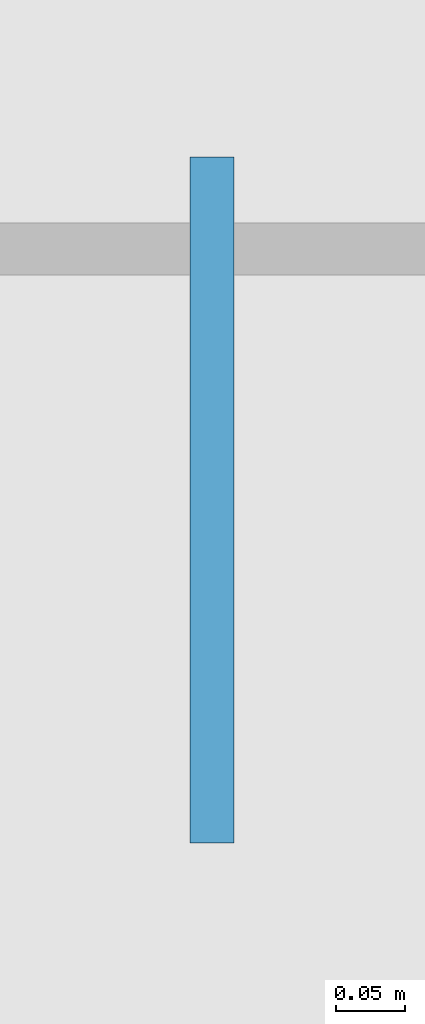
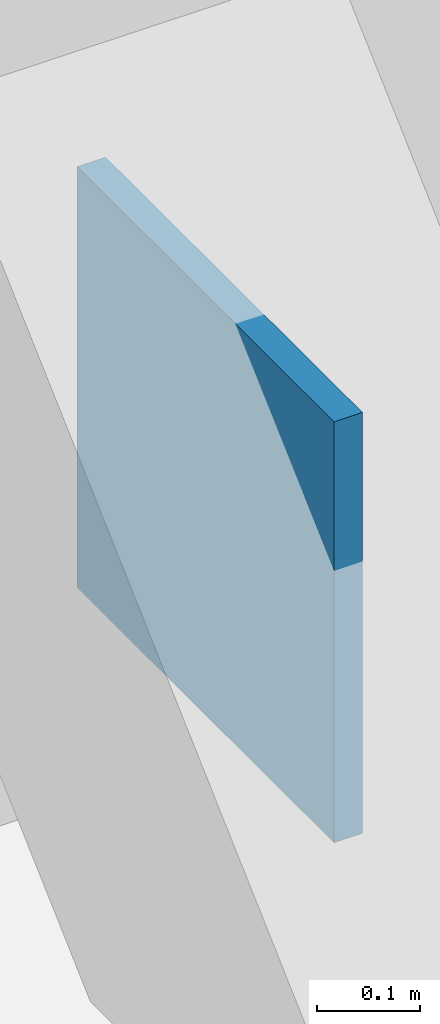
# One storey, part 35 of 51: 1 plate.
"""IFC4 building model written with IfcOpenShell, lengths in metres."""

from ifc_helpers import new_model, si_unit, direction, frame, origin, origin_2d, place, context, subcontext, project, spatial, rectangle, extrude, material, layer, layer_set, type_object, element, save


model = new_model("IFC4")

# Units and contexts
model_context = context("Model", 3, precision=1e-05, world=origin(), true_north=direction((0.0, 1.0)))
body_context = subcontext(model_context, "Body", "Model", "MODEL_VIEW")
ifc_project = project(units=[si_unit("LENGTHUNIT", "METRE"), si_unit("AREAUNIT", "SQUARE_METRE"), si_unit("VOLUMEUNIT", "CUBIC_METRE"), si_unit("PLANEANGLEUNIT", "RADIAN"), si_unit("MASSUNIT", "GRAM", prefix="KILO")], contexts=[model_context])

# Site, building, storey
site_placement = place(None, origin())
site = spatial("IfcSite", under=ifc_project, at=site_placement, CompositionType="ELEMENT")
building_placement = place(site_placement, origin())
building = spatial("IfcBuilding", under=site, at=building_placement, Name="Punatoya Terracotta Tower", CompositionType="ELEMENT")
storey_placement = place(building_placement, frame((0.0, 0.0, 279.75)))
storey = spatial("IfcBuildingStorey", under=building, at=storey_placement, Name="L66", CompositionType="ELEMENT", Elevation=279.75)

# Plate
ifc_material = material(Name="Steel S460", Category="steel")
ifc_layer = layer(ifc_material, 0.031982421875)
ifc_layer_set = layer_set([ifc_layer], Name="Steel S460")
plate_type = type_object("IfcPlateType", Name="PLT-END-32", PredefinedType="USERDEFINED", material=ifc_layer_set)
plate_placement = place(storey_placement, frame((19.10009765625, 17.947998046875, 0.18310546875), z_axis=(0.0, 0.0, 1.0), x_axis=(0.0, 1.0, 0.0)))
element("IfcPlate", 1, at=plate_placement, inside=storey, type_object=plate_type, Name="L67 Knee-Strut Base Gusset Plate N2", ObjectType="FLANGE_PLATE", PredefinedType="USERDEFINED", context=body_context, shape_type="SweptSolid", body=[
    extrude(rectangle(XDim=0.5, YDim=0.031982421875, at=origin_2d()), origin(), (0.0, 0.0, 1.0), 0.5),
])

save(model, "model.ifc")
